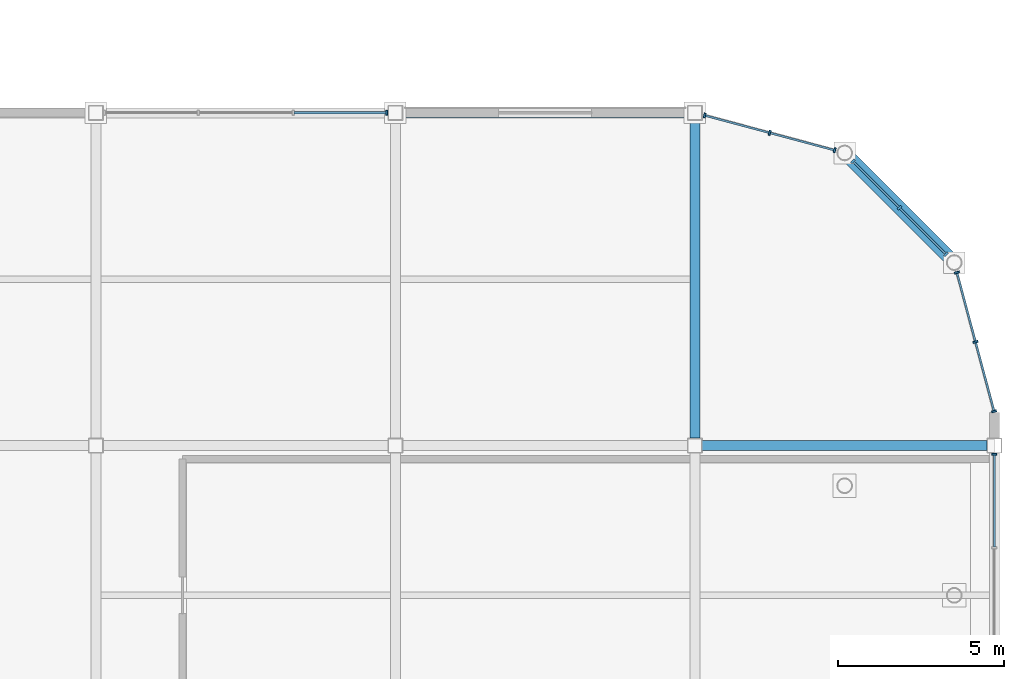
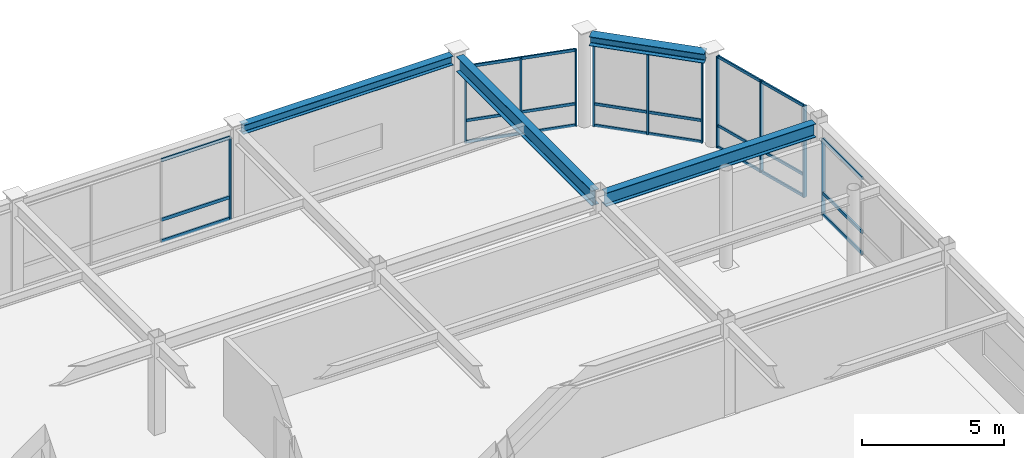
# One storey, part 60 of 105: 35 members, 4 beams, 5 elements without a shape of their own.
"""IFC4 building model written with IfcOpenShell, lengths in metres."""

from ifc_helpers import new_model, si_unit, direction, frame, origin, origin_2d, place, context, subcontext, project, spatial, rectangle, i_section, extrude, material, material_profile, profile_set, type_object, element, aggregate, save


model = new_model("IFC4")

# Units and contexts
model_context = context("Model", 3, precision=1e-05, world=origin(), true_north=direction((0.0, 1.0)))
body_context = subcontext(model_context, "Body", "Model", "MODEL_VIEW")
ifc_project = project(units=[si_unit("LENGTHUNIT", "METRE"), si_unit("AREAUNIT", "SQUARE_METRE"), si_unit("VOLUMEUNIT", "CUBIC_METRE"), si_unit("PLANEANGLEUNIT", "RADIAN"), si_unit("MASSUNIT", "GRAM", prefix="KILO")], contexts=[model_context])

# Site, building, storey
site_placement = place(None, origin())
site = spatial("IfcSite", under=ifc_project, at=site_placement, CompositionType="ELEMENT")
building_placement = place(site_placement, origin())
building = spatial("IfcBuilding", under=site, at=building_placement, Name="Suzunagisa Mobility Hub", CompositionType="ELEMENT")
storey_placement = place(building_placement, frame((0.0, 0.0, 5.10009765625)))
storey = spatial("IfcBuildingStorey", under=building, at=storey_placement, Name="L01", CompositionType="ELEMENT", Elevation=5.10009765625)

# Curtain wall, members
ifc_material_1 = material(Name="Thermally Broken Anodized Aluminum and Low-E Glazing", Category="aluminium")
curtain_wall_type_1 = type_object("IfcCurtainWallType", Name="Unitised Curtain Wall CW-43 8500x3300", PredefinedType="USERDEFINED", material=ifc_material_1)
curtain_wall_1_placement = place(storey_placement, origin())
curtain_wall_1 = element("IfcCurtainWall", 1, at=curtain_wall_1_placement, inside=storey, type_object=curtain_wall_type_1, Name="L01 Unitised Curtain Wall CW-187", ObjectType="UNITISED CURTAIN WALL", PredefinedType="USERDEFINED")
ifc_material_2 = material(Name="Anodized Aluminum 6063-T6", Category="aluminium")
ifc_material_profile_1 = material_profile(ifc_material_2, rectangle(XDim=0.06494140625, YDim=0.139892578125, at=origin_2d()), Name="TRAN-65x140")
ifc_profile_set_1 = profile_set([ifc_material_profile_1], Name="Anodized Aluminum 6063-T6")
member_type_1 = type_object("IfcMemberType", Name="Curtain Wall Framing CM-01 TRAN-65x140", PredefinedType="USERDEFINED", material=ifc_profile_set_1)
member_1_placement = place(storey_placement, frame((180.0, 94.952880859375, 0.032470703125), z_axis=(0.0, 1.0, 0.0), x_axis=(-1.0, 0.0, 0.0)))
member_1 = element("IfcMember", 2, at=member_1_placement, type_object=member_type_1, Name="Curtain Wall Transom 187-T3.1", ObjectType="TRANSOM", PredefinedType="USERDEFINED", context=body_context, shape_type="SweptSolid", body=[
    extrude(rectangle(XDim=0.06494140625, YDim=0.139892578125, at=origin_2d()), origin(), (0.0, 0.0, 1.0), 2.76416015625),
])
member_2_placement = place(storey_placement, frame((180.0, 94.952880859375, 0.949951171875), z_axis=(0.0, 1.0, 0.0), x_axis=(-1.0, 0.0, 0.0)))
member_2 = element("IfcMember", 3, at=member_2_placement, type_object=member_type_1, Name="Curtain Wall Transom 187-T3.2", ObjectType="TRANSOM", PredefinedType="USERDEFINED", context=body_context, shape_type="SweptSolid", body=[
    extrude(rectangle(XDim=0.06494140625, YDim=0.139892578125, at=origin_2d()), origin(), (0.0, 0.0, 1.0), 2.76416015625),
])
member_3_placement = place(storey_placement, frame((180.0, 94.952880859375, 3.267333984375), z_axis=(0.0, 1.0, 0.0), x_axis=(-1.0, 0.0, 0.0)))
member_3 = element("IfcMember", 4, at=member_3_placement, type_object=member_type_1, Name="Curtain Wall Transom 187-T3.3", ObjectType="TRANSOM", PredefinedType="USERDEFINED", context=body_context, shape_type="SweptSolid", body=[
    extrude(rectangle(XDim=0.06494140625, YDim=0.139892578125, at=origin_2d()), origin(), (0.0, 0.0, 1.0), 2.76416015625),
])

curtain_wall_type_2 = type_object("IfcCurtainWallType", Name="Unitised Curtain Wall CW-14 8500x3600", PredefinedType="USERDEFINED", material=ifc_material_1)
curtain_wall_2_placement = place(storey_placement, origin())
curtain_wall_2 = element("IfcCurtainWall", 5, at=curtain_wall_2_placement, inside=storey, type_object=curtain_wall_type_2, Name="L01 Unitised Curtain Wall CW-191", ObjectType="UNITISED CURTAIN WALL", PredefinedType="USERDEFINED")
member_4_placement = place(storey_placement, frame((161.717041015625, 108.0, 0.032470703125), z_axis=(-1.0, 0.0, 0.0), x_axis=(0.0, -1.0, 0.0)))
member_4 = element("IfcMember", 6, at=member_4_placement, type_object=member_type_1, Name="Curtain Wall Transom 191-T1.1", ObjectType="TRANSOM", PredefinedType="USERDEFINED", context=body_context, shape_type="SweptSolid", body=[
    extrude(rectangle(XDim=0.06494140625, YDim=0.139892578125, at=origin_2d()), origin(), (0.0, 0.0, 1.0), 2.76416015625),
])
member_5_placement = place(storey_placement, frame((161.717041015625, 108.0, 0.949951171875), z_axis=(-1.0, 0.0, 0.0), x_axis=(0.0, -1.0, 0.0)))
member_5 = element("IfcMember", 7, at=member_5_placement, type_object=member_type_1, Name="Curtain Wall Transom 191-T1.2", ObjectType="TRANSOM", PredefinedType="USERDEFINED", context=body_context, shape_type="SweptSolid", body=[
    extrude(rectangle(XDim=0.06494140625, YDim=0.139892578125, at=origin_2d()), origin(), (0.0, 0.0, 1.0), 2.76416015625),
])
member_6_placement = place(storey_placement, frame((161.717041015625, 108.0, 3.517333984375), z_axis=(-1.0, 0.0, 0.0), x_axis=(0.0, -1.0, 0.0)))
member_6 = element("IfcMember", 8, at=member_6_placement, type_object=member_type_1, Name="Curtain Wall Transom 191-T1.3", ObjectType="TRANSOM", PredefinedType="USERDEFINED", context=body_context, shape_type="SweptSolid", body=[
    extrude(rectangle(XDim=0.06494140625, YDim=0.139892578125, at=origin_2d()), origin(), (0.0, 0.0, 1.0), 2.76416015625),
])

curtain_wall_type_3 = type_object("IfcCurtainWallType", Name="Unitised Curtain Wall CW-48 4500x3900", PredefinedType="USERDEFINED", material=ifc_material_1)
curtain_wall_3_placement = place(storey_placement, origin())
curtain_wall_3 = element("IfcCurtainWall", 9, at=curtain_wall_3_placement, inside=storey, type_object=curtain_wall_type_3, Name="L01 Unitised Curtain Wall CW-188", ObjectType="UNITISED CURTAIN WALL", PredefinedType="USERDEFINED")
ifc_material_profile_2 = material_profile(ifc_material_2, rectangle(XDim=0.06005859375, YDim=0.1201171875, at=origin_2d()), Name="TRAN-60x120")
ifc_profile_set_2 = profile_set([ifc_material_profile_2], Name="Anodized Aluminum 6063-T6")
member_type_2 = type_object("IfcMemberType", Name="Curtain Wall Framing CM-02 TRAN-60x120", PredefinedType="USERDEFINED", material=ifc_profile_set_2)
member_7_placement = place(storey_placement, frame((179.985107421875, 99.055908203125, 0.02978515625), z_axis=(-0.258832778908, 0.965922146222, 0.0), x_axis=(-0.965922146222, -0.258832778908, 0.0)))
member_7 = element("IfcMember", 10, at=member_7_placement, type_object=member_type_2, Name="Curtain Wall Transom 188-T1.1", ObjectType="TRANSOM", PredefinedType="USERDEFINED", context=body_context, shape_type="SweptSolid", body=[
    extrude(rectangle(XDim=0.06005859375, YDim=0.1201171875, at=origin_2d()), origin(), (0.0, 0.0, 1.0), 2.103515625),
])
member_8_placement = place(storey_placement, frame((179.985107421875, 99.055908203125, 0.949951171875), z_axis=(-0.258832778908, 0.965922146222, 0.0), x_axis=(-0.965922146222, -0.258832778908, 0.0)))
member_8 = element("IfcMember", 11, at=member_8_placement, type_object=member_type_2, Name="Curtain Wall Transom 188-T1.2", ObjectType="TRANSOM", PredefinedType="USERDEFINED", context=body_context, shape_type="SweptSolid", body=[
    extrude(rectangle(XDim=0.06005859375, YDim=0.1201171875, at=origin_2d()), origin(), (0.0, 0.0, 1.0), 2.103515625),
])
member_9_placement = place(storey_placement, frame((179.985107421875, 99.055908203125, 3.909912109375), z_axis=(-0.258832778908, 0.965922146222, 0.0), x_axis=(-0.965922146222, -0.258832778908, 0.0)))
member_9 = element("IfcMember", 12, at=member_9_placement, type_object=member_type_2, Name="Curtain Wall Transom 188-T1.3", ObjectType="TRANSOM", PredefinedType="USERDEFINED", context=body_context, shape_type="SweptSolid", body=[
    extrude(rectangle(XDim=0.06005859375, YDim=0.1201171875, at=origin_2d()), origin(), (0.0, 0.0, 1.0), 2.103515625),
])
member_10_placement = place(storey_placement, frame((179.426025390625, 101.141845703125, 0.02978515625), z_axis=(-0.258832778908, 0.965922146222, 0.0), x_axis=(-0.965922146222, -0.258832778908, 0.0)))
member_10 = element("IfcMember", 13, at=member_10_placement, type_object=member_type_2, Name="Curtain Wall Transom 188-T2.1", ObjectType="TRANSOM", PredefinedType="USERDEFINED", context=body_context, shape_type="SweptSolid", body=[
    extrude(rectangle(XDim=0.06005859375, YDim=0.1201171875, at=origin_2d()), origin(), (0.0, 0.0, 1.0), 2.103515625),
])
member_11_placement = place(storey_placement, frame((179.426025390625, 101.141845703125, 0.949951171875), z_axis=(-0.258832778908, 0.965922146222, 0.0), x_axis=(-0.965922146222, -0.258832778908, 0.0)))
member_11 = element("IfcMember", 14, at=member_11_placement, type_object=member_type_2, Name="Curtain Wall Transom 188-T2.2", ObjectType="TRANSOM", PredefinedType="USERDEFINED", context=body_context, shape_type="SweptSolid", body=[
    extrude(rectangle(XDim=0.06005859375, YDim=0.1201171875, at=origin_2d()), origin(), (0.0, 0.0, 1.0), 2.103515625),
])
member_12_placement = place(storey_placement, frame((179.426025390625, 101.141845703125, 3.909912109375), z_axis=(-0.258832778908, 0.965922146222, 0.0), x_axis=(-0.965922146222, -0.258832778908, 0.0)))
member_12 = element("IfcMember", 15, at=member_12_placement, type_object=member_type_2, Name="Curtain Wall Transom 188-T2.3", ObjectType="TRANSOM", PredefinedType="USERDEFINED", context=body_context, shape_type="SweptSolid", body=[
    extrude(rectangle(XDim=0.06005859375, YDim=0.1201171875, at=origin_2d()), origin(), (0.0, 0.0, 1.0), 2.103515625),
])

curtain_wall_type_4 = type_object("IfcCurtainWallType", Name="Unitised Curtain Wall CW-23 4000x3500", PredefinedType="USERDEFINED", material=ifc_material_1)
curtain_wall_4_placement = place(storey_placement, origin())
curtain_wall_4 = element("IfcCurtainWall", 16, at=curtain_wall_4_placement, inside=storey, type_object=curtain_wall_type_4, Name="L01 Unitised Curtain Wall CW-189", ObjectType="UNITISED CURTAIN WALL", PredefinedType="USERDEFINED")
member_13_placement = place(storey_placement, frame((178.524658203125, 103.76953125, 0.02978515625), z_axis=(-0.707106781187, 0.707106781187, 0.0), x_axis=(-0.707106781187, -0.707106781187, 0.0)))
member_13 = element("IfcMember", 17, at=member_13_placement, type_object=member_type_2, Name="Curtain Wall Transom 189-T1.1", ObjectType="TRANSOM", PredefinedType="USERDEFINED", context=body_context, shape_type="SweptSolid", body=[
    extrude(rectangle(XDim=0.06005859375, YDim=0.1201171875, at=origin_2d()), origin(), (0.0, 0.0, 1.0), 1.919921875),
])
member_14_placement = place(storey_placement, frame((178.524658203125, 103.76953125, 0.949951171875), z_axis=(-0.707106781187, 0.707106781187, 0.0), x_axis=(-0.707106781187, -0.707106781187, 0.0)))
member_14 = element("IfcMember", 18, at=member_14_placement, type_object=member_type_2, Name="Curtain Wall Transom 189-T1.2", ObjectType="TRANSOM", PredefinedType="USERDEFINED", context=body_context, shape_type="SweptSolid", body=[
    extrude(rectangle(XDim=0.06005859375, YDim=0.1201171875, at=origin_2d()), origin(), (0.0, 0.0, 1.0), 1.919921875),
])
member_15_placement = place(storey_placement, frame((178.524658203125, 103.76953125, 3.510009765625), z_axis=(-0.707106781187, 0.707106781187, 0.0), x_axis=(-0.707106781187, -0.707106781187, 0.0)))
member_15 = element("IfcMember", 19, at=member_15_placement, type_object=member_type_2, Name="Curtain Wall Transom 189-T1.3", ObjectType="TRANSOM", PredefinedType="USERDEFINED", context=body_context, shape_type="SweptSolid", body=[
    extrude(rectangle(XDim=0.06005859375, YDim=0.1201171875, at=origin_2d()), origin(), (0.0, 0.0, 1.0), 1.919921875),
])
member_16_placement = place(storey_placement, frame((177.127197265625, 105.1669921875, 0.02978515625), z_axis=(-0.707106781187, 0.707106781187, 0.0), x_axis=(-0.707106781187, -0.707106781187, 0.0)))
member_16 = element("IfcMember", 20, at=member_16_placement, type_object=member_type_2, Name="Curtain Wall Transom 189-T2.1", ObjectType="TRANSOM", PredefinedType="USERDEFINED", context=body_context, shape_type="SweptSolid", body=[
    extrude(rectangle(XDim=0.06005859375, YDim=0.1201171875, at=origin_2d()), origin(), (0.0, 0.0, 1.0), 1.919921875),
])
member_17_placement = place(storey_placement, frame((177.127197265625, 105.1669921875, 0.949951171875), z_axis=(-0.707106781187, 0.707106781187, 0.0), x_axis=(-0.707106781187, -0.707106781187, 0.0)))
member_17 = element("IfcMember", 21, at=member_17_placement, type_object=member_type_2, Name="Curtain Wall Transom 189-T2.2", ObjectType="TRANSOM", PredefinedType="USERDEFINED", context=body_context, shape_type="SweptSolid", body=[
    extrude(rectangle(XDim=0.06005859375, YDim=0.1201171875, at=origin_2d()), origin(), (0.0, 0.0, 1.0), 1.919921875),
])
member_18_placement = place(storey_placement, frame((177.127197265625, 105.1669921875, 3.510009765625), z_axis=(-0.707106781187, 0.707106781187, 0.0), x_axis=(-0.707106781187, -0.707106781187, 0.0)))
member_18 = element("IfcMember", 22, at=member_18_placement, type_object=member_type_2, Name="Curtain Wall Transom 189-T2.3", ObjectType="TRANSOM", PredefinedType="USERDEFINED", context=body_context, shape_type="SweptSolid", body=[
    extrude(rectangle(XDim=0.06005859375, YDim=0.1201171875, at=origin_2d()), origin(), (0.0, 0.0, 1.0), 1.919921875),
])

curtain_wall_type_5 = type_object("IfcCurtainWallType", Name="Unitised Curtain Wall CW-10 4000x3300", PredefinedType="USERDEFINED", material=ifc_material_1)
curtain_wall_5_placement = place(storey_placement, origin())
curtain_wall_5 = element("IfcCurtainWall", 23, at=curtain_wall_5_placement, inside=storey, type_object=curtain_wall_type_5, Name="L01 Unitised Curtain Wall CW-190", ObjectType="UNITISED CURTAIN WALL", PredefinedType="USERDEFINED")
member_19_placement = place(storey_placement, frame((175.173583984375, 106.881591796875, 0.02978515625), z_axis=(-0.965920885023, 0.258837485455, 0.0), x_axis=(-0.258837485455, -0.965920885023, 0.0)))
member_19 = element("IfcMember", 24, at=member_19_placement, type_object=member_type_2, Name="Curtain Wall Transom 190-T1.1", ObjectType="TRANSOM", PredefinedType="USERDEFINED", context=body_context, shape_type="SweptSolid", body=[
    extrude(rectangle(XDim=0.06005859375, YDim=0.1201171875, at=origin_2d()), origin(), (0.0, 0.0, 1.0), 1.965576171875),
])
member_20_placement = place(storey_placement, frame((175.173583984375, 106.881591796875, 0.949951171875), z_axis=(-0.965920885023, 0.258837485455, 0.0), x_axis=(-0.258837485455, -0.965920885023, 0.0)))
member_20 = element("IfcMember", 25, at=member_20_placement, type_object=member_type_2, Name="Curtain Wall Transom 190-T1.2", ObjectType="TRANSOM", PredefinedType="USERDEFINED", context=body_context, shape_type="SweptSolid", body=[
    extrude(rectangle(XDim=0.06005859375, YDim=0.1201171875, at=origin_2d()), origin(), (0.0, 0.0, 1.0), 1.965576171875),
])
member_21_placement = place(storey_placement, frame((175.173583984375, 106.881591796875, 3.260009765625), z_axis=(-0.965920885023, 0.258837485455, 0.0), x_axis=(-0.258837485455, -0.965920885023, 0.0)))
member_21 = element("IfcMember", 26, at=member_21_placement, type_object=member_type_2, Name="Curtain Wall Transom 190-T1.3", ObjectType="TRANSOM", PredefinedType="USERDEFINED", context=body_context, shape_type="SweptSolid", body=[
    extrude(rectangle(XDim=0.06005859375, YDim=0.1201171875, at=origin_2d()), origin(), (0.0, 0.0, 1.0), 1.965576171875),
])
member_22_placement = place(storey_placement, frame((173.220947265625, 107.405029296875, 0.02978515625), z_axis=(-0.965920885023, 0.258837485455, 0.0), x_axis=(-0.258837485455, -0.965920885023, 0.0)))
member_22 = element("IfcMember", 27, at=member_22_placement, type_object=member_type_2, Name="Curtain Wall Transom 190-T2.1", ObjectType="TRANSOM", PredefinedType="USERDEFINED", context=body_context, shape_type="SweptSolid", body=[
    extrude(rectangle(XDim=0.06005859375, YDim=0.1201171875, at=origin_2d()), origin(), (0.0, 0.0, 1.0), 1.965576171875),
])
member_23_placement = place(storey_placement, frame((173.220947265625, 107.405029296875, 0.949951171875), z_axis=(-0.965920885023, 0.258837485455, 0.0), x_axis=(-0.258837485455, -0.965920885023, 0.0)))
member_23 = element("IfcMember", 28, at=member_23_placement, type_object=member_type_2, Name="Curtain Wall Transom 190-T2.2", ObjectType="TRANSOM", PredefinedType="USERDEFINED", context=body_context, shape_type="SweptSolid", body=[
    extrude(rectangle(XDim=0.06005859375, YDim=0.1201171875, at=origin_2d()), origin(), (0.0, 0.0, 1.0), 1.965576171875),
])
member_24_placement = place(storey_placement, frame((173.220947265625, 107.405029296875, 3.260009765625), z_axis=(-0.965920885023, 0.258837485455, 0.0), x_axis=(-0.258837485455, -0.965920885023, 0.0)))
member_24 = element("IfcMember", 29, at=member_24_placement, type_object=member_type_2, Name="Curtain Wall Transom 190-T2.3", ObjectType="TRANSOM", PredefinedType="USERDEFINED", context=body_context, shape_type="SweptSolid", body=[
    extrude(rectangle(XDim=0.06005859375, YDim=0.1201171875, at=origin_2d()), origin(), (0.0, 0.0, 1.0), 1.965576171875),
])

# Member
ifc_material_profile_3 = material_profile(ifc_material_2, rectangle(XDim=0.06005859375, YDim=0.14990234375, at=origin_2d()), Name="MULL-60x150")
ifc_profile_set_3 = profile_set([ifc_material_profile_3], Name="Anodized Aluminum 6063-T6")
member_type_3 = type_object("IfcMemberType", Name="Curtain Wall Framing CM-03 MULL-60x150", PredefinedType="MULLION", material=ifc_profile_set_3)
member_25_placement = place(storey_placement, frame((180.0, 97.7451171875, 0.0), z_axis=(0.0, 0.0, 1.0), x_axis=(0.0, 1.0, 0.0)))
member_25 = element("IfcMember", 30, at=member_25_placement, type_object=member_type_3, Name="Curtain Wall Mullion 187-M4", PredefinedType="MULLION", context=body_context, shape_type="SweptSolid", body=[
    extrude(rectangle(XDim=0.06005859375, YDim=0.14990234375, at=origin_2d()), origin(), (0.0, 0.0, 1.0), 3.2998046875),
])

aggregate(curtain_wall_1, [member_25, member_1, member_2, member_3])

member_26_placement = place(storey_placement, frame((179.9921875, 99.029052734375, 0.0), z_axis=(0.0, 0.0, 1.0), x_axis=(-0.258815230137, 0.965926848498, 0.0)))
member_26 = element("IfcMember", 31, at=member_26_placement, type_object=member_type_3, Name="Curtain Wall Mullion 188-M1", PredefinedType="MULLION", context=body_context, shape_type="SweptSolid", body=[
    extrude(rectangle(XDim=0.06005859375, YDim=0.14990234375, at=origin_2d()), origin(), (0.0, 0.0, 1.0), 3.93994140625),
])

member_27_placement = place(storey_placement, frame((179.433349609375, 101.11474609375, 0.0), z_axis=(0.0, 0.0, 1.0), x_axis=(-0.258815230137, 0.965926848498, 0.0)))
member_27 = element("IfcMember", 32, at=member_27_placement, type_object=member_type_3, Name="Curtain Wall Mullion 188-M2", PredefinedType="MULLION", context=body_context, shape_type="SweptSolid", body=[
    extrude(rectangle(XDim=0.06005859375, YDim=0.14990234375, at=origin_2d()), origin(), (0.0, 0.0, 1.0), 3.93994140625),
])

member_28_placement = place(storey_placement, frame((178.87451171875, 103.20068359375, 0.0), z_axis=(0.0, 0.0, 1.0), x_axis=(-0.258815230137, 0.965926848498, 0.0)))
member_28 = element("IfcMember", 33, at=member_28_placement, type_object=member_type_3, Name="Curtain Wall Mullion 188-M3", PredefinedType="MULLION", context=body_context, shape_type="SweptSolid", body=[
    extrude(rectangle(XDim=0.06005859375, YDim=0.14990234375, at=origin_2d()), origin(), (0.0, 0.0, 1.0), 3.93994140625),
])

aggregate(curtain_wall_3, [member_26, member_27, member_28, member_7, member_8, member_9, member_10, member_11, member_12])

member_29_placement = place(storey_placement, frame((178.54443359375, 103.749755859375, 0.0), z_axis=(0.0, 0.0, 1.0), x_axis=(-0.707106781187, 0.707106781187, 0.0)))
member_29 = element("IfcMember", 34, at=member_29_placement, type_object=member_type_3, Name="Curtain Wall Mullion 189-M1", PredefinedType="MULLION", context=body_context, shape_type="SweptSolid", body=[
    extrude(rectangle(XDim=0.06005859375, YDim=0.14990234375, at=origin_2d()), origin(), (0.0, 0.0, 1.0), 3.539794921875),
])

member_30_placement = place(storey_placement, frame((177.147216796875, 105.147216796875, 0.0), z_axis=(0.0, 0.0, 1.0), x_axis=(-0.707106781187, 0.707106781187, 0.0)))
member_30 = element("IfcMember", 35, at=member_30_placement, type_object=member_type_3, Name="Curtain Wall Mullion 189-M2", PredefinedType="MULLION", context=body_context, shape_type="SweptSolid", body=[
    extrude(rectangle(XDim=0.06005859375, YDim=0.14990234375, at=origin_2d()), origin(), (0.0, 0.0, 1.0), 3.539794921875),
])

member_31_placement = place(storey_placement, frame((175.749755859375, 106.54443359375, 0.0), z_axis=(0.0, 0.0, 1.0), x_axis=(-0.707106781187, 0.707106781187, 0.0)))
member_31 = element("IfcMember", 36, at=member_31_placement, type_object=member_type_3, Name="Curtain Wall Mullion 189-M3", PredefinedType="MULLION", context=body_context, shape_type="SweptSolid", body=[
    extrude(rectangle(XDim=0.06005859375, YDim=0.14990234375, at=origin_2d()), origin(), (0.0, 0.0, 1.0), 3.539794921875),
])

aggregate(curtain_wall_4, [member_29, member_30, member_31, member_13, member_14, member_15, member_16, member_17, member_18])

member_32_placement = place(storey_placement, frame((175.20068359375, 106.87451171875, 0.0), z_axis=(0.0, 0.0, 1.0), x_axis=(-0.965925206606, 0.258821357779, 0.0)))
member_32 = element("IfcMember", 37, at=member_32_placement, type_object=member_type_3, Name="Curtain Wall Mullion 190-M1", PredefinedType="MULLION", context=body_context, shape_type="SweptSolid", body=[
    extrude(rectangle(XDim=0.06005859375, YDim=0.14990234375, at=origin_2d()), origin(), (0.0, 0.0, 1.0), 3.289794921875),
])

member_33_placement = place(storey_placement, frame((173.247802734375, 107.397705078125, 0.0), z_axis=(0.0, 0.0, 1.0), x_axis=(-0.965925206606, 0.258821357779, 0.0)))
member_33 = element("IfcMember", 38, at=member_33_placement, type_object=member_type_3, Name="Curtain Wall Mullion 190-M2", PredefinedType="MULLION", context=body_context, shape_type="SweptSolid", body=[
    extrude(rectangle(XDim=0.06005859375, YDim=0.14990234375, at=origin_2d()), origin(), (0.0, 0.0, 1.0), 3.289794921875),
])

member_34_placement = place(storey_placement, frame((171.295166015625, 107.9208984375, 0.0), z_axis=(0.0, 0.0, 1.0), x_axis=(-0.965925206606, 0.258821357779, 0.0)))
member_34 = element("IfcMember", 39, at=member_34_placement, type_object=member_type_3, Name="Curtain Wall Mullion 190-M3", PredefinedType="MULLION", context=body_context, shape_type="SweptSolid", body=[
    extrude(rectangle(XDim=0.06005859375, YDim=0.14990234375, at=origin_2d()), origin(), (0.0, 0.0, 1.0), 3.289794921875),
])

aggregate(curtain_wall_5, [member_32, member_33, member_34, member_19, member_20, member_21, member_22, member_23, member_24])

member_35_placement = place(storey_placement, frame((161.7451171875, 108.0, 0.0), z_axis=(0.0, 0.0, 1.0), x_axis=(-1.0, 0.0, 0.0)))
member_35 = element("IfcMember", 40, at=member_35_placement, type_object=member_type_3, Name="Curtain Wall Mullion 191-M1", PredefinedType="MULLION", context=body_context, shape_type="SweptSolid", body=[
    extrude(rectangle(XDim=0.06005859375, YDim=0.14990234375, at=origin_2d()), origin(), (0.0, 0.0, 1.0), 3.5498046875),
])

aggregate(curtain_wall_2, [member_35, member_4, member_5, member_6])

# Beams
ifc_material_3 = material(Name="Steel SN490B", Category="steel")
ifc_material_profile_4 = material_profile(ifc_material_3, i_section(OverallWidth=0.300048828125, OverallDepth=0.64990234375, WebThickness=0.012939453125, FlangeThickness=0.02197265625, FilletRadius=0.01611328125, at=origin_2d()), Name="H-650x300x13x22")
ifc_profile_set_4 = profile_set([ifc_material_profile_4], Name="Steel SN490B")
beam_type_1 = type_object("IfcBeamType", Name="Steel Beam BM-10 H-650x300x13x22", PredefinedType="BEAM", material=ifc_profile_set_4)
beam_1_placement = place(storey_placement, frame((171.0, 98.220947265625, 3.614990234375), z_axis=(0.0, 1.0, 0.0), x_axis=(-1.0, 0.0, 0.0)))
element("IfcBeam", 41, at=beam_1_placement, inside=storey, type_object=beam_type_1, Name="L01 Primary Girder GY-1879", PredefinedType="BEAM", context=body_context, shape_type="SweptSolid", body=[
    extrude(i_section(OverallWidth=0.300048828125, OverallDepth=0.64990234375, WebThickness=0.012939453125, FlangeThickness=0.02197265625, FilletRadius=0.01611328125, at=origin_2d()), origin(), (0.0, 0.0, 1.0), 9.55810546875),
])
ifc_material_profile_5 = material_profile(ifc_material_3, i_section(OverallWidth=0.39990234375, OverallDepth=0.39990234375, WebThickness=0.012939453125, FlangeThickness=0.02099609375, FilletRadius=0.01611328125, at=origin_2d()), Name="H-400x400x13x21")
ifc_profile_set_5 = profile_set([ifc_material_profile_5], Name="Steel SN490B")
beam_type_2 = type_object("IfcBeamType", Name="Steel Beam BM-12 H-400x400x13x21", PredefinedType="SPANDREL", material=ifc_profile_set_5)
beam_2_placement = place(storey_placement, frame((178.632568359375, 103.66162109375, 3.739990234375), z_axis=(-0.707106781187, 0.707106781187, 0.0), x_axis=(-0.707106781187, -0.707106781187, 0.0)))
element("IfcBeam", 42, at=beam_2_placement, inside=storey, type_object=beam_type_2, Name="L01 Streamline Prow Spandrel 1880", PredefinedType="SPANDREL", context=body_context, shape_type="SweptSolid", body=[
    extrude(i_section(OverallWidth=0.39990234375, OverallDepth=0.39990234375, WebThickness=0.012939453125, FlangeThickness=0.02099609375, FilletRadius=0.01611328125, at=origin_2d()), origin(), (0.0, 0.0, 1.0), 4.20166015625),
])
ifc_material_profile_6 = material_profile(ifc_material_3, i_section(OverallWidth=0.300048828125, OverallDepth=0.389892578125, WebThickness=0.010009765625, FlangeThickness=0.01611328125, FilletRadius=0.012939453125, at=origin_2d()), Name="H-390x300x10x16")
ifc_profile_set_6 = profile_set([ifc_material_profile_6], Name="Steel SN490B")
beam_type_3 = type_object("IfcBeamType", Name="Steel Beam BM-13 H-390x300x10x16", PredefinedType="SPANDREL", material=ifc_profile_set_6)
beam_3_placement = place(storey_placement, frame((162.220947265625, 108.0, 3.744873046875), z_axis=(1.0, 0.0, 0.0), x_axis=(0.0, 1.0, 0.0)))
element("IfcBeam", 43, at=beam_3_placement, inside=storey, type_object=beam_type_3, Name="L01 Primary Girder GX-1875", PredefinedType="SPANDREL", context=body_context, shape_type="SweptSolid", body=[
    extrude(i_section(OverallWidth=0.300048828125, OverallDepth=0.389892578125, WebThickness=0.010009765625, FlangeThickness=0.01611328125, FilletRadius=0.012939453125, at=origin_2d()), origin(), (0.0, 0.0, 1.0), 8.55810546875),
])
ifc_material_profile_7 = material_profile(ifc_material_3, i_section(OverallWidth=0.300048828125, OverallDepth=0.587890625, WebThickness=0.011962890625, FlangeThickness=0.02001953125, FilletRadius=0.012939453125, at=origin_2d()), Name="H-588x300x12x20")
ifc_profile_set_7 = profile_set([ifc_material_profile_7], Name="Steel SN490B")
beam_type_4 = type_object("IfcBeamType", Name="Steel Beam BM-16 H-588x300x12x20", PredefinedType="BEAM", material=ifc_profile_set_7)
beam_4_placement = place(storey_placement, frame((171.220947265625, 98.0, 3.64599609375), z_axis=(1.0, 0.0, 0.0), x_axis=(0.0, 1.0, 0.0)))
element("IfcBeam", 44, at=beam_4_placement, inside=storey, type_object=beam_type_4, Name="L01 Primary Girder GX-1822", PredefinedType="BEAM", context=body_context, shape_type="SweptSolid", body=[
    extrude(i_section(OverallWidth=0.300048828125, OverallDepth=0.587890625, WebThickness=0.011962890625, FlangeThickness=0.02001953125, FilletRadius=0.012939453125, at=origin_2d()), origin(), (0.0, 0.0, 1.0), 8.55810546875),
])

save(model, "model.ifc")
